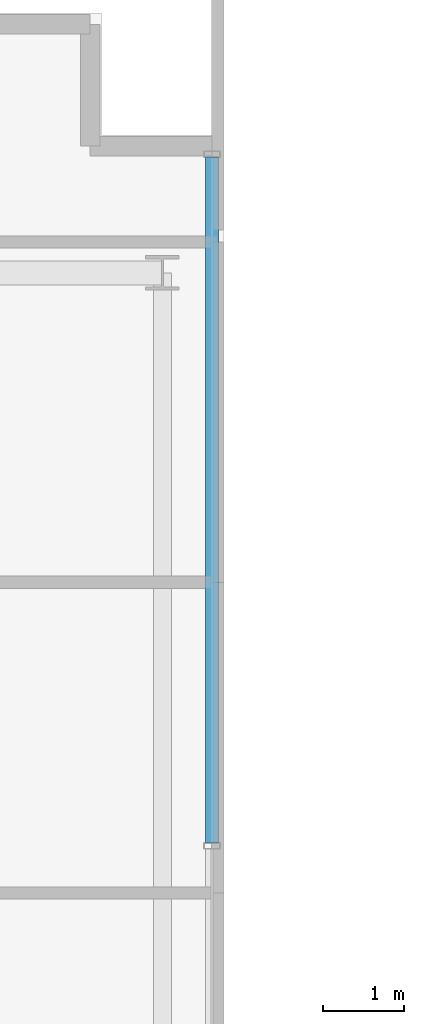
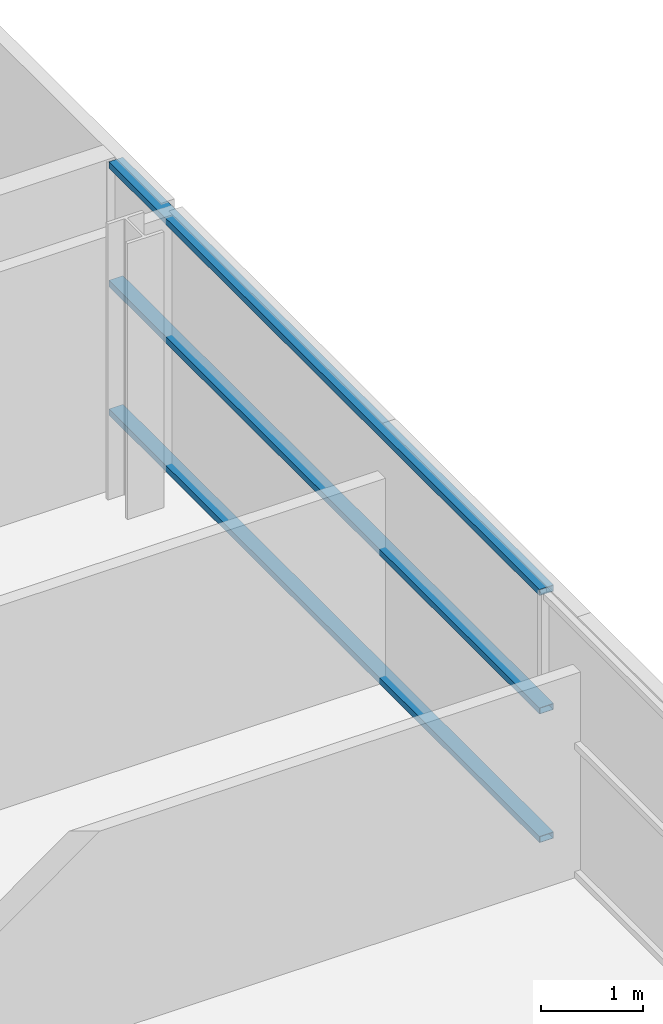
# One storey, part 12 of 27: 3 members, 1 element without a shape of its own.
"""IFC4 building model written with IfcOpenShell, lengths in metres."""

import ifcopenshell
import ifcopenshell.guid

model = None  # the IFC model being written
_history = None  # IfcOwnerHistory: only IFC2X3 demands one
_inside = {}  # id of a spatial element -> (the spatial element, [elements in it])
_under = {}  # id of a project, library or spatial element -> (it, [spatial elements below it])
_declared = {}  # id of a project -> (the project, [libraries it declares])
_typed = {}  # id of a type object -> (the type object, [elements of that type])
_made_of = {}  # id of a material, layer set ... -> (it, [elements and type objects made of it])


def new_model(schema):
    """Start an empty IFC model of exactly this schema.

    Asked for "IFC4X3", IfcOpenShell would pick the latest addendum, in which some entities
    have other attributes; the version numbers below select the first issue.
    IFC2X3 requires an IfcOwnerHistory on every rooted entity: one is made here for all.
    """
    global model, _history
    if schema == "IFC4X3":
        model = ifcopenshell.file(schema_version=(4, 3, 0, 0))
    else:
        model = ifcopenshell.file(schema=schema)
    _inside.clear()
    _under.clear()
    _declared.clear()
    _typed.clear()
    _made_of.clear()
    _history = None
    if model.schema == "IFC2X3":
        org = make("IfcOrganization", Name="unknown")
        user = make(
            "IfcPersonAndOrganization",
            ThePerson=make("IfcPerson", FamilyName="unknown"),
            TheOrganization=org,
        )
        app = make(
            "IfcApplication",
            ApplicationDeveloper=org,
            Version="unknown",
            ApplicationFullName="unknown",
            ApplicationIdentifier="unknown",
        )
        _history = make(
            "IfcOwnerHistory",
            OwningUser=user,
            OwningApplication=app,
            ChangeAction="ADDED",
            CreationDate=0,
        )
    return model


def make(cls, **values):
    """One entity of the class cls with the attributes given. An attribute that is None is left unset."""
    return model.create_entity(
        cls, **{name: value for name, value in values.items() if value is not None}
    )


def rooted(cls, **values):
    """An entity with a GlobalId (a new one), such as an element, a storey or a relation."""
    return make(cls, GlobalId=ifcopenshell.guid.new(), OwnerHistory=_history, **values)


def si_unit(unit_type, name, prefix=None):
    """IfcSIUnit, for example si_unit("LENGTHUNIT", "METRE", prefix="MILLI")."""
    return make("IfcSIUnit", UnitType=unit_type, Prefix=prefix, Name=name)


def assignment(units):
    """IfcUnitAssignment: the units of a project."""
    return None if units is None else make("IfcUnitAssignment", Units=units)


def point(xyz):
    """IfcCartesianPoint."""
    return None if xyz is None else make("IfcCartesianPoint", Coordinates=xyz)


def direction(xyz):
    """IfcDirection."""
    return None if xyz is None else make("IfcDirection", DirectionRatios=xyz)


def frame(location, z_axis=None, x_axis=None):
    """IfcAxis2Placement3D, a coordinate frame: its origin and axes. An axis left out is left unset."""
    return make(
        "IfcAxis2Placement3D",
        Location=point(location),
        Axis=direction(z_axis),
        RefDirection=direction(x_axis),
    )


def frame_2d(location, x_axis=None):
    """IfcAxis2Placement2D, a coordinate frame in the plane: its origin and x axis."""
    return make(
        "IfcAxis2Placement2D", Location=point(location), RefDirection=direction(x_axis)
    )


def origin():
    """The frame at (0, 0, 0) with its axes left unset."""
    return frame((0.0, 0.0, 0.0))


def origin_2d():
    """The frame at (0, 0) in the plane with its x axis left unset."""
    return frame_2d((0.0, 0.0))


def place(relative_to, where):
    """IfcLocalPlacement: puts the frame where relative to a parent placement (None: the world)."""
    return make(
        "IfcLocalPlacement", PlacementRelTo=relative_to, RelativePlacement=where
    )


def context(
    kind, dimensions, precision=None, world=None, true_north=None, identifier=None
):
    """IfcGeometricRepresentationContext, for example the 3D "Model" context."""
    return make(
        "IfcGeometricRepresentationContext",
        ContextIdentifier=identifier,
        ContextType=kind,
        CoordinateSpaceDimension=dimensions,
        Precision=precision,
        WorldCoordinateSystem=world,
        TrueNorth=true_north,
    )


def subcontext(parent, identifier, kind, view, scale=None):
    """IfcGeometricRepresentationSubContext, for example "Body" below "Model"."""
    return make(
        "IfcGeometricRepresentationSubContext",
        ContextIdentifier=identifier,
        ContextType=kind,
        ParentContext=parent,
        TargetScale=scale,
        TargetView=view,
    )


def project(units=None, contexts=None):
    """IfcProject with its units and contexts."""
    return rooted(
        "IfcProject",
        Name="project",
        RepresentationContexts=contexts,
        UnitsInContext=assignment(units),
    )


def spatial(cls, under=None, at=None, **own):
    """A site, building, storey or space (cls), placed at a placement, below another one or the project."""
    s = rooted(cls, ObjectPlacement=at, **own)
    if under is not None:
        _under.setdefault(under.id(), (under, []))[1].append(s)
    return s


def profile(cls, at=None, kind="AREA", **sizes):
    """A parametric profile (cls). Its sizes go by their IFC names, for example OverallWidth=200.0."""
    return make(cls, ProfileType=kind, Position=at, **sizes)


def hollow_rectangle(**sizes):
    """IfcRectangleHollowProfileDef."""
    return profile("IfcRectangleHollowProfileDef", **sizes)


def extrude(swept, where, along, depth):
    """IfcExtrudedAreaSolid: the profile swept, set in the frame where, extruded along a direction by depth."""
    return make(
        "IfcExtrudedAreaSolid",
        SweptArea=swept,
        Position=where,
        ExtrudedDirection=direction(along),
        Depth=depth,
    )


def shape(context_of_items, identifier, shape_type, items):
    """IfcShapeRepresentation: the items that make up one representation, for example the "Body"."""
    return make(
        "IfcShapeRepresentation",
        ContextOfItems=context_of_items,
        RepresentationIdentifier=identifier,
        RepresentationType=shape_type,
        Items=items,
    )


def source(mapping_origin, context_of_items, identifier, shape_type, items):
    """IfcRepresentationMap: a shape defined once, which mapped items show again and again."""
    return make(
        "IfcRepresentationMap",
        MappingOrigin=mapping_origin,
        MappedRepresentation=shape(context_of_items, identifier, shape_type, items),
    )


def transform(
    local_origin,
    x_axis=None,
    y_axis=None,
    z_axis=None,
    scale=None,
    scale2=None,
    scale3=None,
    uniform=True,
):
    """IfcCartesianTransformationOperator3D, or its non-uniform kind. x_axis, y_axis, z_axis: its Axis1, 2, 3."""
    if uniform:
        return make(
            "IfcCartesianTransformationOperator3D",
            Axis1=direction(x_axis),
            Axis2=direction(y_axis),
            LocalOrigin=point(local_origin),
            Scale=scale,
            Axis3=direction(z_axis),
        )
    return make(
        "IfcCartesianTransformationOperator3DnonUniform",
        Axis1=direction(x_axis),
        Axis2=direction(y_axis),
        LocalOrigin=point(local_origin),
        Scale=scale,
        Axis3=direction(z_axis),
        Scale2=scale2,
        Scale3=scale3,
    )


def mapped(mapping_source, mapping_target):
    """IfcMappedItem: shows the shape of a source again, moved by a transform."""
    return make(
        "IfcMappedItem", MappingSource=mapping_source, MappingTarget=mapping_target
    )


def material(Name=None, Category=None):
    """IfcMaterial."""
    return make("IfcMaterial", Name=Name, Category=Category)


def layer(
    of_material, thickness, ventilated=None, Name=None, Category=None, Priority=None
):
    """IfcMaterialLayer: one layer of a wall or slab, of a material (None: an air gap)."""
    return make(
        "IfcMaterialLayer",
        Material=of_material,
        LayerThickness=thickness,
        IsVentilated=ventilated,
        Name=Name,
        Category=Category,
        Priority=Priority,
    )


def layer_set(layers, Name=None):
    """IfcMaterialLayerSet."""
    return make("IfcMaterialLayerSet", MaterialLayers=layers, LayerSetName=Name)


def material_profile(
    of_material, cross_section, Name=None, Category=None, Priority=None
):
    """IfcMaterialProfile: a cross section and its material."""
    return make(
        "IfcMaterialProfile",
        Name=Name,
        Material=of_material,
        Profile=cross_section,
        Priority=Priority,
        Category=Category,
    )


def profile_set(profiles, Name=None, composite=None):
    """IfcMaterialProfileSet."""
    return make(
        "IfcMaterialProfileSet",
        Name=Name,
        MaterialProfiles=profiles,
        CompositeProfile=composite,
    )


def made_of(thing, what):
    """Note that an element or type object is made of a material, layer set ...; save() writes the relation."""
    if what is not None:
        _made_of.setdefault(what.id(), (what, []))[1].append(thing)
    return thing


def type_object(cls, material=None, **own):
    """A type object (cls), such as IfcWallType, which elements share."""
    return made_of(rooted(cls, **own), material)


def element(
    cls,
    number,
    at=None,
    inside=None,
    cuts=None,
    type_object=None,
    material=None,
    context=None,
    identifier="Body",
    shape_type=None,
    held_by="IfcProductDefinitionShape",
    body=None,
    shapes=None,
    **own,
):
    """One element of the class cls, such as IfcWall. Its Tag is "e" and its number.

    at: its placement. inside: the storey or other place that contains it. cuts: it is an
    opening in that element (IfcRelVoidsElement). A single representation is given by context,
    identifier, shape_type and body (its items); several are given by shapes. held_by: the class
    of the entity that holds the representations. save() writes the other relations.
    """
    e = rooted(cls, Tag="e%d" % number, ObjectPlacement=at, **own)
    if body is not None:
        shapes = [shape(context, identifier, shape_type, body)]
    if shapes is not None:
        e.Representation = make(held_by, Representations=shapes)
    if inside is not None:
        _inside.setdefault(inside.id(), (inside, []))[1].append(e)
    if cuts is not None:
        rooted(
            "IfcRelVoidsElement", RelatingBuildingElement=cuts, RelatedOpeningElement=e
        )
    if type_object is not None:
        _typed.setdefault(type_object.id(), (type_object, []))[1].append(e)
    return made_of(e, material)


def aggregate(whole, parts):
    """IfcRelAggregates: a whole, such as a stair, and the parts it consists of."""
    return rooted("IfcRelAggregates", RelatingObject=whole, RelatedObjects=parts)


def save(model, path):
    """Write the relations noted so far, then the file.

    IfcRelAggregates (storeys below a building ...), IfcRelContainedInSpatialStructure (elements
    in a storey), IfcRelDefinesByType, IfcRelAssociatesMaterial and IfcRelDeclares: one each for
    every whole, place, type object, material and project.
    """
    for whole, parts in _under.values():
        aggregate(whole, parts)
    for where, things in _inside.values():
        rooted(
            "IfcRelContainedInSpatialStructure",
            RelatedElements=things,
            RelatingStructure=where,
        )
    for kind, things in _typed.values():
        rooted("IfcRelDefinesByType", RelatedObjects=things, RelatingType=kind)
    for what, things in _made_of.values():
        rooted("IfcRelAssociatesMaterial", RelatedObjects=things, RelatingMaterial=what)
    for by, libraries in _declared.values():
        rooted("IfcRelDeclares", RelatingContext=by, RelatedDefinitions=libraries)
    model.write(path)


model = new_model("IFC4")

# Units and contexts
model_context = context("Model", 3, precision=1e-05, world=origin(), true_north=direction((0.0, 1.0)))
body_context = subcontext(model_context, "Body", "Model", "MODEL_VIEW")
ifc_project = project(units=[si_unit("LENGTHUNIT", "METRE"), si_unit("AREAUNIT", "SQUARE_METRE"), si_unit("VOLUMEUNIT", "CUBIC_METRE"), si_unit("PLANEANGLEUNIT", "RADIAN"), si_unit("MASSUNIT", "GRAM", prefix="KILO")], contexts=[model_context])

# Site, building, storey
site_placement = place(None, origin())
site = spatial("IfcSite", under=ifc_project, at=site_placement, CompositionType="ELEMENT")
building_placement = place(site_placement, origin())
building = spatial("IfcBuilding", under=site, at=building_placement, Name="Zarnakvel Exchange Tower", CompositionType="ELEMENT")
storey_placement = place(building_placement, frame((0.0, 0.0, 76.89990234375)))
storey = spatial("IfcBuildingStorey", under=building, at=storey_placement, Name="L21", CompositionType="ELEMENT", Elevation=76.89990234375)

# Curtain wall, members
ifc_material = material(Name="Architectural Bronze Anodised Aluminium", Category="aluminium")
ifc_layer = layer(ifc_material, 0.199951171875)
ifc_layer_set = layer_set([ifc_layer], Name="Architectural Bronze Anodised Aluminium")
curtain_wall_type = type_object("IfcCurtainWallType", Name="CW-04", PredefinedType="NOTDEFINED", material=ifc_layer_set)
curtain_wall_placement = place(storey_placement, origin())
curtain_wall = element("IfcCurtainWall", 1, at=curtain_wall_placement, inside=storey, type_object=curtain_wall_type, Name="L21 Curtain Wall CW-L21-EN (CW-04)", PredefinedType="NOTDEFINED")
ifc_material_profile = material_profile(ifc_material, hollow_rectangle(XDim=0.159912109375, YDim=0.074951171875, WallThickness=0.00390625, at=origin_2d()))
ifc_profile_set = profile_set([ifc_material_profile], Name="Architectural Bronze Anodised Aluminium")
member_type = type_object("IfcMemberType", Name="CWT-04", PredefinedType="USERDEFINED", material=ifc_profile_set)
shared_shape = source(origin(), body_context, "Body", "SweptSolid", [
    extrude(hollow_rectangle(XDim=0.159912109375, YDim=0.074951171875, WallThickness=0.00390625, at=origin_2d()), origin(), (0.0, 0.0, 1.0), 8.4375),
])
member_1_placement = place(storey_placement, frame((32.4599609375, 6.487548828125, 0.03759765625), z_axis=(0.0, 1.0, 0.0), x_axis=(-1.0, 0.0, 0.0)))
member_1 = element("IfcMember", 2, at=member_1_placement, type_object=member_type, Name="CW-04 transom 2.1", ObjectType="TRANSOM", PredefinedType="USERDEFINED", context=body_context, shape_type="MappedRepresentation", body=[
    mapped(shared_shape, transform((0.0, 0.0, 0.0), x_axis=(1.0, 0.0, 0.0), y_axis=(0.0, 1.0, 0.0), z_axis=(0.0, 0.0, 1.0), scale=1.0)),
])
member_2_placement = place(storey_placement, frame((32.4599609375, 6.487548828125, 1.57568359375), z_axis=(0.0, 1.0, 0.0), x_axis=(-1.0, 0.0, 0.0)))
member_2 = element("IfcMember", 3, at=member_2_placement, type_object=member_type, Name="CW-04 transom 2.2", ObjectType="TRANSOM", PredefinedType="USERDEFINED", context=body_context, shape_type="MappedRepresentation", body=[
    mapped(shared_shape, transform((0.0, 0.0, 0.0), x_axis=(1.0, 0.0, 0.0), y_axis=(0.0, 1.0, 0.0), z_axis=(0.0, 0.0, 1.0), scale=1.0)),
])
member_3_placement = place(storey_placement, frame((32.4599609375, 6.487548828125, 2.99267578125), z_axis=(0.0, 1.0, 0.0), x_axis=(-1.0, 0.0, 0.0)))
member_3 = element("IfcMember", 4, at=member_3_placement, type_object=member_type, Name="CW-04 transom 2.3", ObjectType="TRANSOM", PredefinedType="USERDEFINED", context=body_context, shape_type="MappedRepresentation", body=[
    mapped(shared_shape, transform((0.0, 0.0, 0.0), x_axis=(1.0, 0.0, 0.0), y_axis=(0.0, 1.0, 0.0), z_axis=(0.0, 0.0, 1.0), scale=1.0)),
])
aggregate(curtain_wall, [member_1, member_2, member_3])

save(model, "model.ifc")
